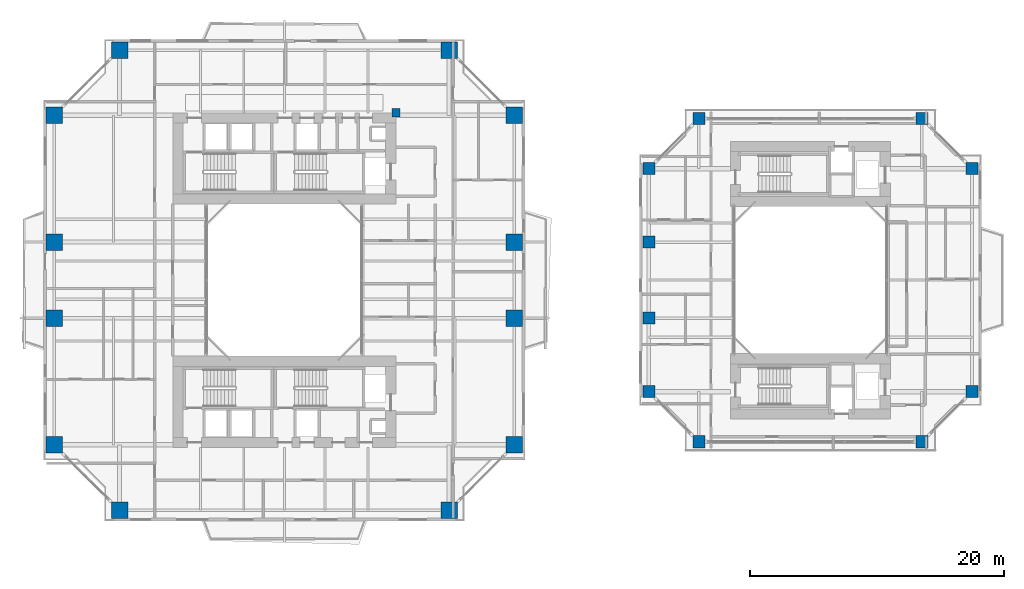
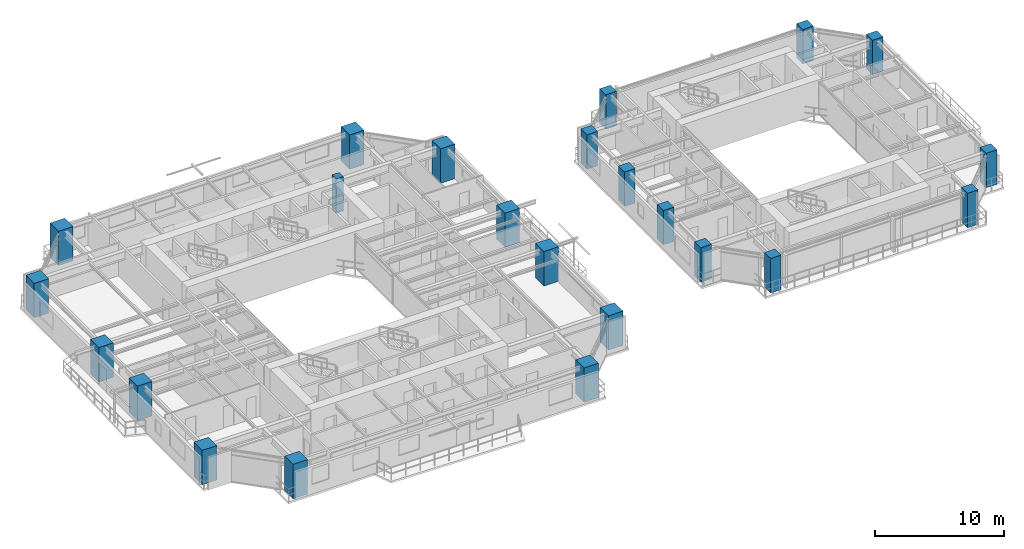
# One storey, part 1 of 23: 23 columns.
"""IFC4 building model written with IfcOpenShell, lengths in metres."""

from ifc_helpers import new_model, si_unit, direction, frame, origin, origin_2d, place, context, subcontext, project, spatial, rectangle, extrude, source, transform, mapped, material, material_profile, profile_set, type_object, element, save


model = new_model("IFC4")

# Units and contexts
model_context = context("Model", 3, precision=1e-05, world=origin(), true_north=direction((0.0, 1.0)))
body_context = subcontext(model_context, "Body", "Model", "MODEL_VIEW")
ifc_project = project(units=[si_unit("LENGTHUNIT", "METRE"), si_unit("AREAUNIT", "SQUARE_METRE"), si_unit("VOLUMEUNIT", "CUBIC_METRE"), si_unit("PLANEANGLEUNIT", "RADIAN"), si_unit("MASSUNIT", "GRAM", prefix="KILO"), si_unit("THERMODYNAMICTEMPERATUREUNIT", "KELVIN"), si_unit("POWERUNIT", "WATT")], contexts=[model_context])

# Site, building, storey
site_placement = place(None, origin())
site = spatial("IfcSite", under=ifc_project, at=site_placement, CompositionType="ELEMENT")
building_placement = place(site_placement, origin())
building = spatial("IfcBuilding", under=site, at=building_placement, Name="Qiaomeng Ring Towers", CompositionType="ELEMENT")
storey_placement = place(building_placement, frame((0.0, 0.0, 29.5)))
storey = spatial("IfcBuildingStorey", under=building, at=storey_placement, Name="L07", CompositionType="ELEMENT", Elevation=29.5)

# Columns
ifc_material_1 = material(Name="Concrete C50", Category="concrete")
ifc_material_profile_1 = material_profile(ifc_material_1, rectangle(XDim=0.64990234375, YDim=0.64990234375, at=origin_2d()), Name="RC COL 650x650")
ifc_profile_set_1 = profile_set([ifc_material_profile_1], Name="Concrete C50")
column_type_1 = type_object("IfcColumnType", Name="STR-PIL-650", PredefinedType="PILASTER", material=ifc_profile_set_1)
shared_shape_1 = source(origin(), body_context, "Body", "SweptSolid", [
    extrude(rectangle(XDim=0.64990234375, YDim=0.64990234375, at=origin_2d()), origin(), (0.0, 0.0, 1.0), 3.25),
])
column_placement = place(storey_placement, frame((27.800048828125, 36.199951171875, 0.0), z_axis=(0.0, 0.0, 1.0), x_axis=(1.0, 0.0, 0.0)))
element("IfcColumn", 1, at=column_placement, inside=storey, type_object=column_type_1, Name="L07 column STR-PIL-L07-N", PredefinedType="PILASTER", context=body_context, shape_type="MappedRepresentation", body=[
    mapped(shared_shape_1, transform((0.0, 0.0, 0.0), x_axis=(1.0, 0.0, 0.0), y_axis=(0.0, 1.0, 0.0), z_axis=(0.0, 0.0, 1.0), scale=1.0)),
])
ifc_material_2 = material(Name="Concrete C60", Category="concrete")
ifc_material_profile_2 = material_profile(ifc_material_2, rectangle(XDim=1.300048828125, YDim=1.300048828125, at=origin_2d()), Name="RC COL 1300x1300")
ifc_profile_set_2 = profile_set([ifc_material_profile_2], Name="Concrete C60")
column_type_2 = type_object("IfcColumnType", Name="STR-COL-1300", PredefinedType="COLUMN", material=ifc_profile_set_2)
shared_shape_2 = source(origin(), body_context, "Body", "SweptSolid", [
    extrude(rectangle(XDim=1.300048828125, YDim=1.300048828125, at=origin_2d()), origin(), (0.0, 0.0, 1.0), 3.25),
])
for number, where, z_axis, x_axis, name in (
    (2, (6.0, 4.85009765625, 0.0), (0.0, 0.0, 1.0), (1.0, 0.0, 0.0), "L07 column STR-COL-L07-T1-S1"),
    (3, (32.0, 4.85009765625, 0.0), (0.0, 0.0, 1.0), (1.0, 0.0, 0.0), "L07 column STR-COL-L07-T1-S2"),
    (4, (37.14990234375, 10.0, 0.0), (0.0, 0.0, 1.0), (1.0, 0.0, 0.0), "L07 column STR-COL-L07-T1-E1"),
    (5, (37.14990234375, 20.0, 0.0), (0.0, 0.0, 1.0), (1.0, 0.0, 0.0), "L07 column STR-COL-L07-T1-E2"),
    (6, (37.14990234375, 26.0, 0.0), (0.0, 0.0, 1.0), (1.0, 0.0, 0.0), "L07 column STR-COL-L07-T1-E3"),
    (7, (37.14990234375, 36.0, 0.0), (0.0, 0.0, 1.0), (1.0, 0.0, 0.0), "L07 column STR-COL-L07-T1-E4"),
    (8, (32.0, 41.14990234375, 0.0), (0.0, 0.0, 1.0), (1.0, 0.0, 0.0), "L07 column STR-COL-L07-T1-N2"),
    (9, (6.0, 41.14990234375, 0.0), (0.0, 0.0, 1.0), (1.0, 0.0, 0.0), "L07 column STR-COL-L07-T1-N1"),
    (10, (0.85009765625, 36.0, 0.0), (0.0, 0.0, 1.0), (1.0, 0.0, 0.0), "L07 column STR-COL-L07-T1-W4"),
    (11, (0.85009765625, 26.0, 0.0), (0.0, 0.0, 1.0), (1.0, 0.0, 0.0), "L07 column STR-COL-L07-T1-W3"),
    (12, (0.85009765625, 20.0, 0.0), (0.0, 0.0, 1.0), (1.0, 0.0, 0.0), "L07 column STR-COL-L07-T1-W2"),
    (13, (0.85009765625, 10.0, 0.0), (0.0, 0.0, 1.0), (1.0, 0.0, 0.0), "L07 column STR-COL-L07-T1-W1"),
):
    element("IfcColumn", number, at=place(storey_placement, frame(where, z_axis=z_axis, x_axis=x_axis)), inside=storey, type_object=column_type_2, Name=name, PredefinedType="COLUMN", context=body_context, shape_type="MappedRepresentation", body=[
        mapped(shared_shape_2, transform((0.0, 0.0, 0.0), x_axis=(1.0, 0.0, 0.0), y_axis=(0.0, 1.0, 0.0), z_axis=(0.0, 0.0, 1.0), scale=1.0)),
    ])
ifc_material_profile_3 = material_profile(ifc_material_2, rectangle(XDim=0.949951171875, YDim=0.949951171875, at=origin_2d()), Name="RC COL 950x950")
ifc_profile_set_3 = profile_set([ifc_material_profile_3], Name="Concrete C60")
column_type_3 = type_object("IfcColumnType", Name="STR-COL-950-C60", PredefinedType="COLUMN", material=ifc_profile_set_3)
shared_shape_3 = source(origin(), body_context, "Body", "SweptSolid", [
    extrude(rectangle(XDim=0.949951171875, YDim=0.949951171875, at=origin_2d()), origin(), (0.0, 0.0, 1.0), 3.25),
])
for number, where, z_axis, x_axis, name in (
    (14, (51.699951171875, 10.25, 0.0), (0.0, 0.0, 1.0), (1.0, 0.0, 0.0), "L07 column STR-COL-L07-T2-S1"),
    (15, (69.300048828125, 10.25, 0.0), (0.0, 0.0, 1.0), (1.0, 0.0, 0.0), "L07 column STR-COL-L07-T2-S2"),
    (16, (73.25, 14.199951171875, 0.0), (0.0, 0.0, 1.0), (1.0, 0.0, 0.0), "L07 column STR-COL-L07-T2-E1"),
    (17, (73.25, 31.800048828125, 0.0), (0.0, 0.0, 1.0), (1.0, 0.0, 0.0), "L07 column STR-COL-L07-T2-E2"),
    (18, (69.300048828125, 35.75, 0.0), (0.0, 0.0, 1.0), (1.0, 0.0, 0.0), "L07 column STR-COL-L07-T2-N2"),
    (19, (51.699951171875, 35.75, 0.0), (0.0, 0.0, 1.0), (1.0, 0.0, 0.0), "L07 column STR-COL-L07-T2-N1"),
    (20, (47.75, 14.199951171875, 0.0), (0.0, 0.0, 1.0), (1.0, 0.0, 0.0), "L07 column STR-COL-L07-T2-W1"),
    (21, (47.75, 20.0, 0.0), (0.0, 0.0, 1.0), (1.0, 0.0, 0.0), "L07 column STR-COL-L07-T2-W2"),
    (22, (47.75, 26.0, 0.0), (0.0, 0.0, 1.0), (1.0, 0.0, 0.0), "L07 column STR-COL-L07-T2-W3"),
    (23, (47.75, 31.800048828125, 0.0), (0.0, 0.0, 1.0), (1.0, 0.0, 0.0), "L07 column STR-COL-L07-T2-W4"),
):
    element("IfcColumn", number, at=place(storey_placement, frame(where, z_axis=z_axis, x_axis=x_axis)), inside=storey, type_object=column_type_3, Name=name, PredefinedType="COLUMN", context=body_context, shape_type="MappedRepresentation", body=[
        mapped(shared_shape_3, transform((0.0, 0.0, 0.0), x_axis=(1.0, 0.0, 0.0), y_axis=(0.0, 1.0, 0.0), z_axis=(0.0, 0.0, 1.0), scale=1.0)),
    ])

save(model, "model.ifc")
